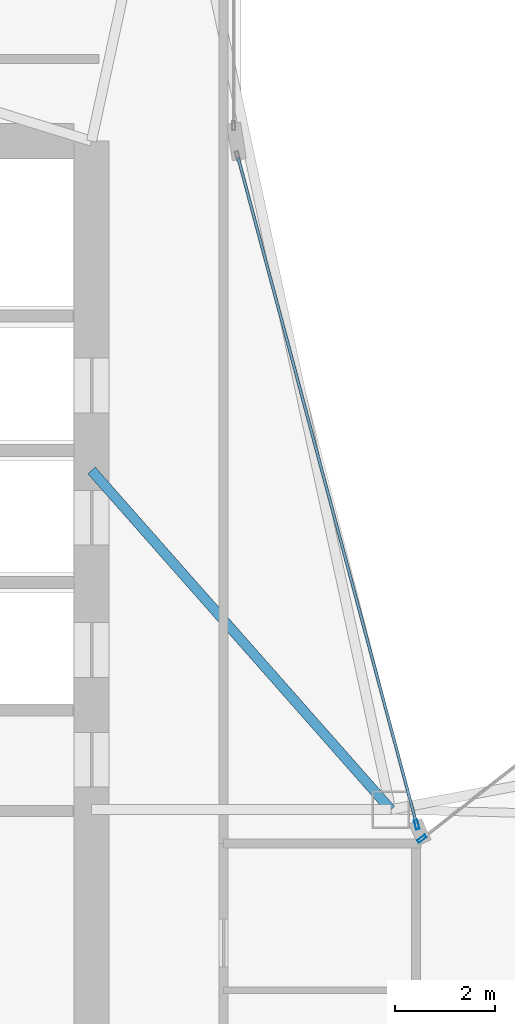
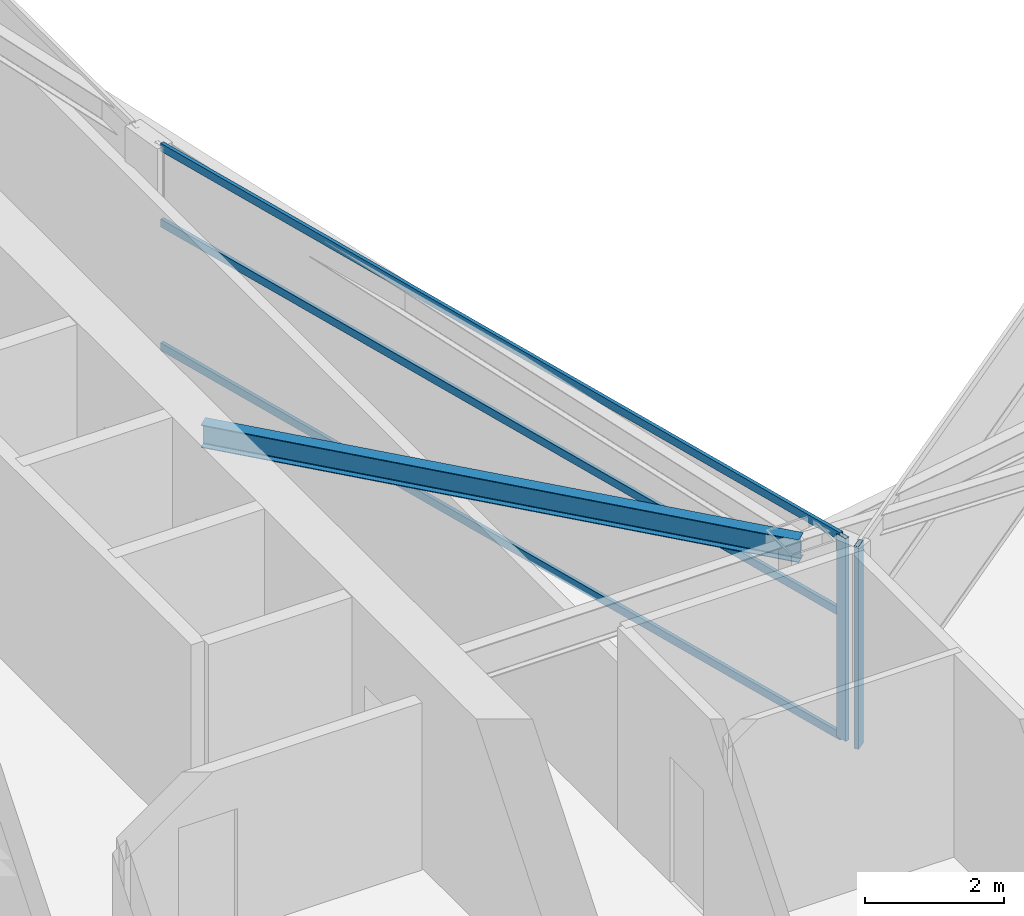
# One storey, part 10 of 29: 5 members, 1 beam, 2 elements without a shape of their own.
"""IFC4 building model written with IfcOpenShell, lengths in metres."""

from ifc_helpers import new_model, si_unit, direction, frame, origin, origin_2d, place, context, subcontext, project, spatial, hollow_rectangle, i_section, extrude, material, layer, layer_set, material_profile, profile_set, type_object, element, aggregate, save


model = new_model("IFC4")

# Units and contexts
model_context = context("Model", 3, precision=1e-05, world=origin(), true_north=direction((0.0, 1.0)))
body_context = subcontext(model_context, "Body", "Model", "MODEL_VIEW")
ifc_project = project(units=[si_unit("LENGTHUNIT", "METRE"), si_unit("AREAUNIT", "SQUARE_METRE"), si_unit("VOLUMEUNIT", "CUBIC_METRE"), si_unit("PLANEANGLEUNIT", "RADIAN"), si_unit("MASSUNIT", "GRAM", prefix="KILO")], contexts=[model_context])

# Site, building, storey
site_placement = place(None, origin())
site = spatial("IfcSite", under=ifc_project, at=site_placement, CompositionType="ELEMENT")
building_placement = place(site_placement, origin())
building = spatial("IfcBuilding", under=site, at=building_placement, Name="Calvorn Quay Hotel", CompositionType="ELEMENT")
storey_placement = place(building_placement, frame((0.0, 0.0, 211.0)))
storey = spatial("IfcBuildingStorey", under=building, at=storey_placement, Name="L52", CompositionType="ELEMENT", Elevation=211.0)

# Beam
ifc_material_1 = material(Name="Steel Q355B", Category="steel")
ifc_material_profile_1 = material_profile(ifc_material_1, i_section(OverallWidth=0.199951171875, OverallDepth=0.39990234375, WebThickness=0.008056640625, FlangeThickness=0.012939453125, FilletRadius=0.01611328125, at=origin_2d()), Name="HN400x200x8x13")
ifc_profile_set_1 = profile_set([ifc_material_profile_1], Name="Steel Q355B")
beam_type = type_object("IfcBeamType", Name="BM-JOIST-TYP", PredefinedType="JOIST", material=ifc_profile_set_1)
beam_placement = place(storey_placement, frame((15.0, 31.800048828125, 3.340087890625), z_axis=(0.661618965899, -0.749840212287, 0.0), x_axis=(0.749840212287, 0.661618965899, 0.0)))
element("IfcBeam", 1, at=beam_placement, inside=storey, type_object=beam_type, Name="Beam BJ-L52-C1", PredefinedType="JOIST", context=body_context, shape_type="SweptSolid", body=[
    extrude(i_section(OverallWidth=0.199951171875, OverallDepth=0.39990234375, WebThickness=0.008056640625, FlangeThickness=0.012939453125, FilletRadius=0.01611328125, at=origin_2d()), origin(), (0.0, 0.0, 1.0), 9.068603515625),
])

# Curtain wall, member
ifc_material_2 = material(Name="Champagne Bronze Anodised Aluminium and Low-E Glass", Category="aluminium")
ifc_layer = layer(ifc_material_2, 0.219970703125)
ifc_layer_set = layer_set([ifc_layer], Name="CW-SYS-Z3")
curtain_wall_type = type_object("IfcCurtainWallType", Name="CW-SYS-Z3", PredefinedType="NOTDEFINED", material=ifc_layer_set)
curtain_wall_1_placement = place(storey_placement, origin())
curtain_wall_1 = element("IfcCurtainWall", 2, at=curtain_wall_1_placement, inside=storey, type_object=curtain_wall_type, Name="Inner Court Curtain Wall L52-NE1", PredefinedType="NOTDEFINED")
ifc_material_3 = material(Name="Champagne Bronze Anodised Aluminium 6063-T6", Category="aluminium")
ifc_material_profile_2 = material_profile(ifc_material_3, hollow_rectangle(XDim=0.068115234375, YDim=0.18505859375, WallThickness=0.00390625, at=origin_2d()), Name="ALU-M185x68x4")
ifc_profile_set_2 = profile_set([ifc_material_profile_2], Name="Champagne Bronze Anodised Aluminium 6063-T6")
member_type_1 = type_object("IfcMemberType", Name="CW-SYS-Z3-MUL", PredefinedType="MULLION", material=ifc_profile_set_2)
member_1_placement = place(storey_placement, frame((21.62353515625, 24.41845703125, 0.0), z_axis=(0.0, 0.0, 1.0), x_axis=(0.615819768044, -0.787887056174, 0.0)))
member_1 = element("IfcMember", 3, at=member_1_placement, type_object=member_type_1, Name="CW-L52-NE1 mullion 3", PredefinedType="MULLION", context=body_context, shape_type="SweptSolid", body=[
    extrude(hollow_rectangle(XDim=0.068115234375, YDim=0.18505859375, WallThickness=0.00390625, at=origin_2d()), origin(), (0.0, 0.0, 1.0), 3.56005859375),
])
aggregate(curtain_wall_1, [member_1])

# Curtain wall, members
curtain_wall_2_placement = place(storey_placement, origin())
curtain_wall_2 = element("IfcCurtainWall", 4, at=curtain_wall_2_placement, inside=storey, type_object=curtain_wall_type, Name="Inner Court Curtain Wall L52-IC1", PredefinedType="NOTDEFINED")
member_2_placement = place(storey_placement, frame((21.520263671875, 24.698974609375, 0.0), z_axis=(0.0, 0.0, 1.0), x_axis=(-0.96593652056, -0.25877913024, 0.0)))
member_2 = element("IfcMember", 5, at=member_2_placement, type_object=member_type_1, Name="CW-L52-IC1 mullion 1", PredefinedType="MULLION", context=body_context, shape_type="SweptSolid", body=[
    extrude(hollow_rectangle(XDim=0.068115234375, YDim=0.18505859375, WallThickness=0.00390625, at=origin_2d()), origin(), (0.0, 0.0, 1.0), 3.56005859375),
])
ifc_material_4 = material(Name="Champagne Bronze Anodised Aluminium 6063-T6", Category="aluminium")
ifc_material_profile_3 = material_profile(ifc_material_4, hollow_rectangle(XDim=0.05810546875, YDim=0.139892578125, WallThickness=0.003173828125, at=origin_2d()), Name="ALU-T140x58x3.2")
ifc_profile_set_3 = profile_set([ifc_material_profile_3], Name="Champagne Bronze Anodised Aluminium 6063-T6")
member_type_2 = type_object("IfcMemberType", Name="CW-SYS-Z3-TRN", PredefinedType="USERDEFINED", material=ifc_profile_set_3)
member_3_placement = place(storey_placement, frame((21.512451171875, 24.72802734375, 0.030029296875), z_axis=(-0.258781136883, 0.965935982969, 0.0), x_axis=(-0.965935982969, -0.258781136883, 0.0)))
member_3 = element("IfcMember", 6, at=member_3_placement, type_object=member_type_2, Name="CW-L52-IC1 transom 1.1", ObjectType="TRANSOM", PredefinedType="USERDEFINED", context=body_context, shape_type="SweptSolid", body=[
    extrude(hollow_rectangle(XDim=0.05810546875, YDim=0.139892578125, WallThickness=0.003173828125, at=origin_2d()), origin(), (0.0, 0.0, 1.0), 13.814453125),
])
member_4_placement = place(storey_placement, frame((21.512451171875, 24.72802734375, 2.199951171875), z_axis=(-0.258781136883, 0.965935982969, 0.0), x_axis=(-0.965935982969, -0.258781136883, 0.0)))
member_4 = element("IfcMember", 7, at=member_4_placement, type_object=member_type_2, Name="CW-L52-IC1 transom 1.2", ObjectType="TRANSOM", PredefinedType="USERDEFINED", context=body_context, shape_type="SweptSolid", body=[
    extrude(hollow_rectangle(XDim=0.05810546875, YDim=0.139892578125, WallThickness=0.003173828125, at=origin_2d()), origin(), (0.0, 0.0, 1.0), 13.814453125),
])
member_5_placement = place(storey_placement, frame((21.512451171875, 24.72802734375, 3.530029296875), z_axis=(-0.258781136883, 0.965935982969, 0.0), x_axis=(-0.965935982969, -0.258781136883, 0.0)))
member_5 = element("IfcMember", 8, at=member_5_placement, type_object=member_type_2, Name="CW-L52-IC1 transom 1.3", ObjectType="TRANSOM", PredefinedType="USERDEFINED", context=body_context, shape_type="SweptSolid", body=[
    extrude(hollow_rectangle(XDim=0.05810546875, YDim=0.139892578125, WallThickness=0.003173828125, at=origin_2d()), origin(), (0.0, 0.0, 1.0), 13.814453125),
])
aggregate(curtain_wall_2, [member_2, member_3, member_4, member_5])

save(model, "model.ifc")
